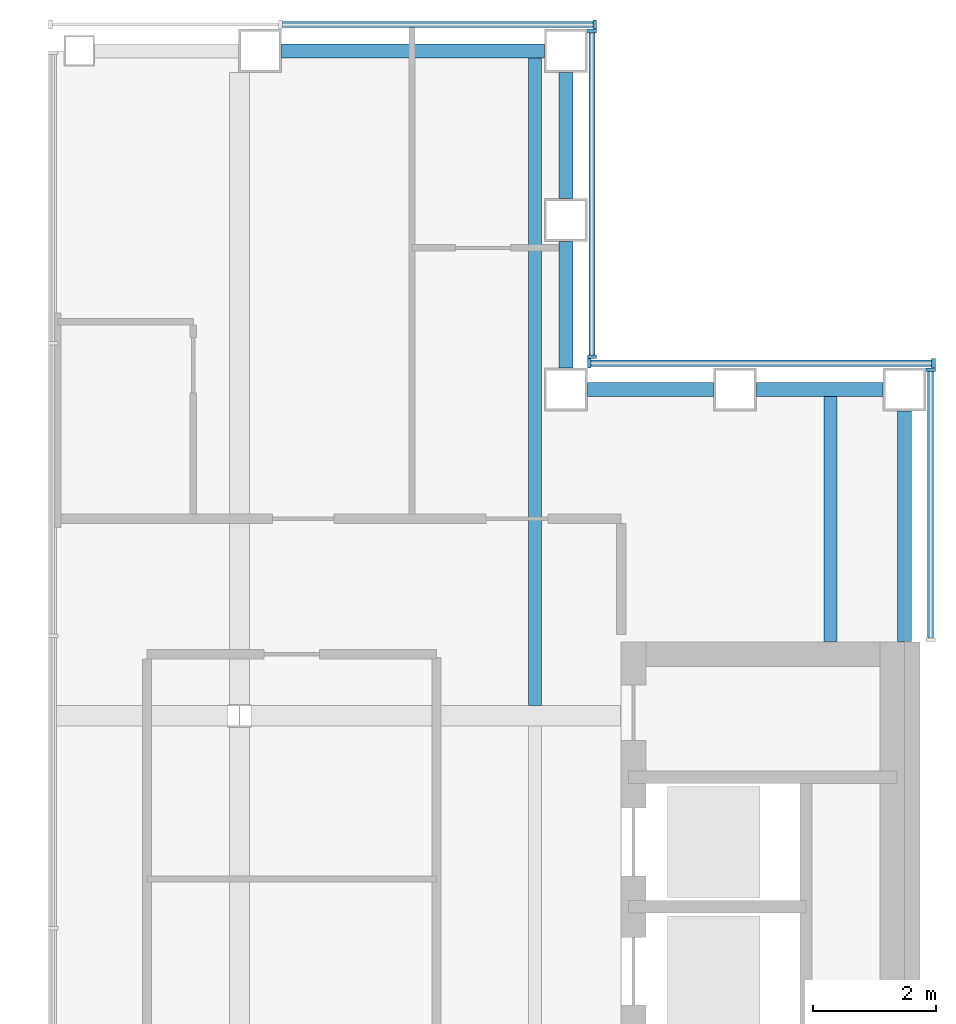
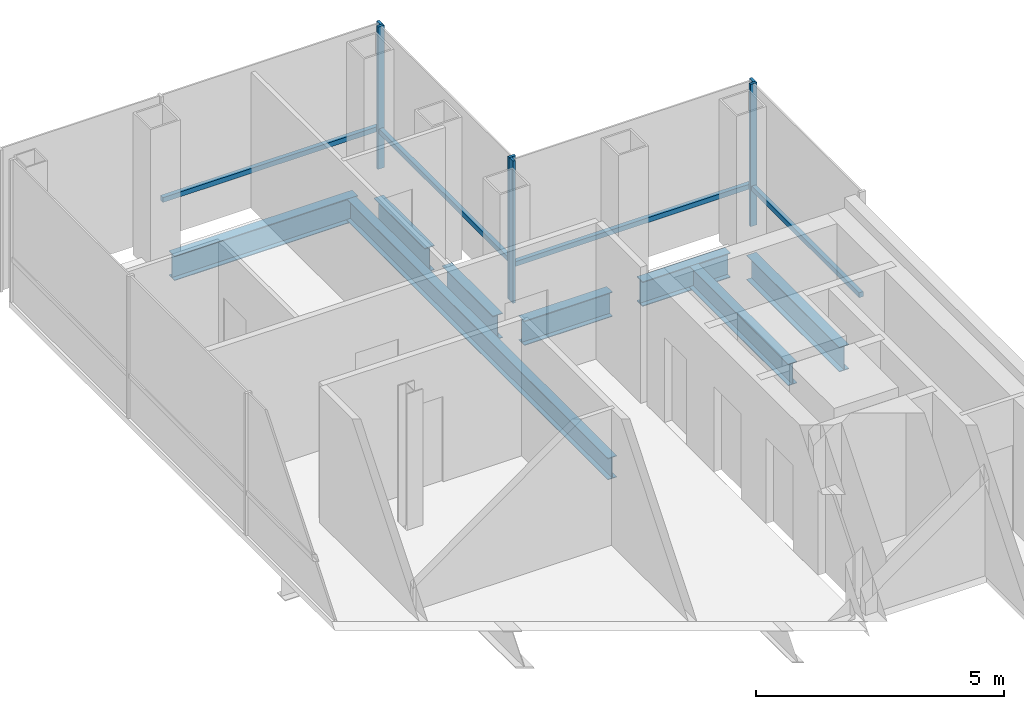
# One storey, part 8 of 15: 10 members, 8 beams, 4 elements without a shape of their own.
"""IFC4 building model written with IfcOpenShell, lengths in metres."""

import ifcopenshell
import ifcopenshell.guid

model = None  # the IFC model being written
_history = None  # IfcOwnerHistory: only IFC2X3 demands one
_inside = {}  # id of a spatial element -> (the spatial element, [elements in it])
_under = {}  # id of a project, library or spatial element -> (it, [spatial elements below it])
_declared = {}  # id of a project -> (the project, [libraries it declares])
_typed = {}  # id of a type object -> (the type object, [elements of that type])
_made_of = {}  # id of a material, layer set ... -> (it, [elements and type objects made of it])


def new_model(schema):
    """Start an empty IFC model of exactly this schema.

    Asked for "IFC4X3", IfcOpenShell would pick the latest addendum, in which some entities
    have other attributes; the version numbers below select the first issue.
    IFC2X3 requires an IfcOwnerHistory on every rooted entity: one is made here for all.
    """
    global model, _history
    if schema == "IFC4X3":
        model = ifcopenshell.file(schema_version=(4, 3, 0, 0))
    else:
        model = ifcopenshell.file(schema=schema)
    _inside.clear()
    _under.clear()
    _declared.clear()
    _typed.clear()
    _made_of.clear()
    _history = None
    if model.schema == "IFC2X3":
        org = make("IfcOrganization", Name="unknown")
        user = make(
            "IfcPersonAndOrganization",
            ThePerson=make("IfcPerson", FamilyName="unknown"),
            TheOrganization=org,
        )
        app = make(
            "IfcApplication",
            ApplicationDeveloper=org,
            Version="unknown",
            ApplicationFullName="unknown",
            ApplicationIdentifier="unknown",
        )
        _history = make(
            "IfcOwnerHistory",
            OwningUser=user,
            OwningApplication=app,
            ChangeAction="ADDED",
            CreationDate=0,
        )
    return model


def make(cls, **values):
    """One entity of the class cls with the attributes given. An attribute that is None is left unset."""
    return model.create_entity(
        cls, **{name: value for name, value in values.items() if value is not None}
    )


def rooted(cls, **values):
    """An entity with a GlobalId (a new one), such as an element, a storey or a relation."""
    return make(cls, GlobalId=ifcopenshell.guid.new(), OwnerHistory=_history, **values)


def si_unit(unit_type, name, prefix=None):
    """IfcSIUnit, for example si_unit("LENGTHUNIT", "METRE", prefix="MILLI")."""
    return make("IfcSIUnit", UnitType=unit_type, Prefix=prefix, Name=name)


def assignment(units):
    """IfcUnitAssignment: the units of a project."""
    return None if units is None else make("IfcUnitAssignment", Units=units)


def point(xyz):
    """IfcCartesianPoint."""
    return None if xyz is None else make("IfcCartesianPoint", Coordinates=xyz)


def direction(xyz):
    """IfcDirection."""
    return None if xyz is None else make("IfcDirection", DirectionRatios=xyz)


def frame(location, z_axis=None, x_axis=None):
    """IfcAxis2Placement3D, a coordinate frame: its origin and axes. An axis left out is left unset."""
    return make(
        "IfcAxis2Placement3D",
        Location=point(location),
        Axis=direction(z_axis),
        RefDirection=direction(x_axis),
    )


def frame_2d(location, x_axis=None):
    """IfcAxis2Placement2D, a coordinate frame in the plane: its origin and x axis."""
    return make(
        "IfcAxis2Placement2D", Location=point(location), RefDirection=direction(x_axis)
    )


def origin():
    """The frame at (0, 0, 0) with its axes left unset."""
    return frame((0.0, 0.0, 0.0))


def origin_2d():
    """The frame at (0, 0) in the plane with its x axis left unset."""
    return frame_2d((0.0, 0.0))


def place(relative_to, where):
    """IfcLocalPlacement: puts the frame where relative to a parent placement (None: the world)."""
    return make(
        "IfcLocalPlacement", PlacementRelTo=relative_to, RelativePlacement=where
    )


def context(
    kind, dimensions, precision=None, world=None, true_north=None, identifier=None
):
    """IfcGeometricRepresentationContext, for example the 3D "Model" context."""
    return make(
        "IfcGeometricRepresentationContext",
        ContextIdentifier=identifier,
        ContextType=kind,
        CoordinateSpaceDimension=dimensions,
        Precision=precision,
        WorldCoordinateSystem=world,
        TrueNorth=true_north,
    )


def subcontext(parent, identifier, kind, view, scale=None):
    """IfcGeometricRepresentationSubContext, for example "Body" below "Model"."""
    return make(
        "IfcGeometricRepresentationSubContext",
        ContextIdentifier=identifier,
        ContextType=kind,
        ParentContext=parent,
        TargetScale=scale,
        TargetView=view,
    )


def project(units=None, contexts=None):
    """IfcProject with its units and contexts."""
    return rooted(
        "IfcProject",
        Name="project",
        RepresentationContexts=contexts,
        UnitsInContext=assignment(units),
    )


def spatial(cls, under=None, at=None, **own):
    """A site, building, storey or space (cls), placed at a placement, below another one or the project."""
    s = rooted(cls, ObjectPlacement=at, **own)
    if under is not None:
        _under.setdefault(under.id(), (under, []))[1].append(s)
    return s


def profile(cls, at=None, kind="AREA", **sizes):
    """A parametric profile (cls). Its sizes go by their IFC names, for example OverallWidth=200.0."""
    return make(cls, ProfileType=kind, Position=at, **sizes)


def rectangle(**sizes):
    """IfcRectangleProfileDef."""
    return profile("IfcRectangleProfileDef", **sizes)


def i_section(**sizes):
    """IfcIShapeProfileDef."""
    return profile("IfcIShapeProfileDef", **sizes)


def extrude(swept, where, along, depth):
    """IfcExtrudedAreaSolid: the profile swept, set in the frame where, extruded along a direction by depth."""
    return make(
        "IfcExtrudedAreaSolid",
        SweptArea=swept,
        Position=where,
        ExtrudedDirection=direction(along),
        Depth=depth,
    )


def shape(context_of_items, identifier, shape_type, items):
    """IfcShapeRepresentation: the items that make up one representation, for example the "Body"."""
    return make(
        "IfcShapeRepresentation",
        ContextOfItems=context_of_items,
        RepresentationIdentifier=identifier,
        RepresentationType=shape_type,
        Items=items,
    )


def material(Name=None, Category=None):
    """IfcMaterial."""
    return make("IfcMaterial", Name=Name, Category=Category)


def material_profile(
    of_material, cross_section, Name=None, Category=None, Priority=None
):
    """IfcMaterialProfile: a cross section and its material."""
    return make(
        "IfcMaterialProfile",
        Name=Name,
        Material=of_material,
        Profile=cross_section,
        Priority=Priority,
        Category=Category,
    )


def profile_set(profiles, Name=None, composite=None):
    """IfcMaterialProfileSet."""
    return make(
        "IfcMaterialProfileSet",
        Name=Name,
        MaterialProfiles=profiles,
        CompositeProfile=composite,
    )


def made_of(thing, what):
    """Note that an element or type object is made of a material, layer set ...; save() writes the relation."""
    if what is not None:
        _made_of.setdefault(what.id(), (what, []))[1].append(thing)
    return thing


def type_object(cls, material=None, **own):
    """A type object (cls), such as IfcWallType, which elements share."""
    return made_of(rooted(cls, **own), material)


def element(
    cls,
    number,
    at=None,
    inside=None,
    cuts=None,
    type_object=None,
    material=None,
    context=None,
    identifier="Body",
    shape_type=None,
    held_by="IfcProductDefinitionShape",
    body=None,
    shapes=None,
    **own,
):
    """One element of the class cls, such as IfcWall. Its Tag is "e" and its number.

    at: its placement. inside: the storey or other place that contains it. cuts: it is an
    opening in that element (IfcRelVoidsElement). A single representation is given by context,
    identifier, shape_type and body (its items); several are given by shapes. held_by: the class
    of the entity that holds the representations. save() writes the other relations.
    """
    e = rooted(cls, Tag="e%d" % number, ObjectPlacement=at, **own)
    if body is not None:
        shapes = [shape(context, identifier, shape_type, body)]
    if shapes is not None:
        e.Representation = make(held_by, Representations=shapes)
    if inside is not None:
        _inside.setdefault(inside.id(), (inside, []))[1].append(e)
    if cuts is not None:
        rooted(
            "IfcRelVoidsElement", RelatingBuildingElement=cuts, RelatedOpeningElement=e
        )
    if type_object is not None:
        _typed.setdefault(type_object.id(), (type_object, []))[1].append(e)
    return made_of(e, material)


def aggregate(whole, parts):
    """IfcRelAggregates: a whole, such as a stair, and the parts it consists of."""
    return rooted("IfcRelAggregates", RelatingObject=whole, RelatedObjects=parts)


def save(model, path):
    """Write the relations noted so far, then the file.

    IfcRelAggregates (storeys below a building ...), IfcRelContainedInSpatialStructure (elements
    in a storey), IfcRelDefinesByType, IfcRelAssociatesMaterial and IfcRelDeclares: one each for
    every whole, place, type object, material and project.
    """
    for whole, parts in _under.values():
        aggregate(whole, parts)
    for where, things in _inside.values():
        rooted(
            "IfcRelContainedInSpatialStructure",
            RelatedElements=things,
            RelatingStructure=where,
        )
    for kind, things in _typed.values():
        rooted("IfcRelDefinesByType", RelatedObjects=things, RelatingType=kind)
    for what, things in _made_of.values():
        rooted("IfcRelAssociatesMaterial", RelatedObjects=things, RelatingMaterial=what)
    for by, libraries in _declared.values():
        rooted("IfcRelDeclares", RelatingContext=by, RelatedDefinitions=libraries)
    model.write(path)


model = new_model("IFC4")

# Units and contexts
model_context = context("Model", 3, precision=1e-05, world=origin(), true_north=direction((0.0, 1.0)))
body_context = subcontext(model_context, "Body", "Model", "MODEL_VIEW")
ifc_project = project(units=[si_unit("LENGTHUNIT", "METRE"), si_unit("AREAUNIT", "SQUARE_METRE"), si_unit("VOLUMEUNIT", "CUBIC_METRE"), si_unit("PLANEANGLEUNIT", "RADIAN"), si_unit("MASSUNIT", "GRAM", prefix="KILO")], contexts=[model_context])

# Site, building, storey
site_placement = place(None, origin())
site = spatial("IfcSite", under=ifc_project, at=site_placement, CompositionType="ELEMENT")
building_placement = place(site_placement, origin())
building = spatial("IfcBuilding", under=site, at=building_placement, Name="Cobrizo Arcos Hotel Tower", CompositionType="ELEMENT")
storey_placement = place(building_placement, frame((0.0, 0.0, 222.5)))
storey = spatial("IfcBuildingStorey", under=building, at=storey_placement, Name="L58", CompositionType="ELEMENT", Elevation=222.5)

# Curtain wall, member
ifc_material_1 = material(Name="Aluminium 6063-T6 anodised bronze", Category="aluminium")
curtain_wall_type = type_object("IfcCurtainWallType", Name="CW-A guest facade", PredefinedType="NOTDEFINED", material=ifc_material_1)
curtain_wall_1_placement = place(storey_placement, origin())
curtain_wall_1 = element("IfcCurtainWall", 1, at=curtain_wall_1_placement, inside=storey, type_object=curtain_wall_type, Name="CW-A L58 E face", PredefinedType="NOTDEFINED")
ifc_material_profile_1 = material_profile(ifc_material_1, rectangle(XDim=0.14990234375, YDim=0.06005859375, at=origin_2d()), Name="CW-A mullion 150x60")
ifc_profile_set_1 = profile_set([ifc_material_profile_1], Name="Aluminium 6063-T6 anodised bronze")
member_type_1 = type_object("IfcMemberType", Name="CW-A mullion 150x60", PredefinedType="MULLION", material=ifc_profile_set_1)
member_1_placement = place(storey_placement, frame((20.824951171875, 15.219970703125, 0.0), z_axis=(0.0, 0.0, 1.0), x_axis=(1.0, 0.0, 0.0)))
member_1 = element("IfcMember", 2, at=member_1_placement, type_object=member_type_1, Name="CW-A mullion 2", PredefinedType="MULLION", context=body_context, shape_type="SweptSolid", body=[
    extrude(rectangle(XDim=0.14990234375, YDim=0.06005859375, at=origin_2d()), origin(), (0.0, 0.0, 1.0), 3.5),
])

# Curtain wall, members
curtain_wall_2_placement = place(storey_placement, origin())
curtain_wall_2 = element("IfcCurtainWall", 3, at=curtain_wall_2_placement, inside=storey, type_object=curtain_wall_type, Name="CW-A L58 N face", PredefinedType="NOTDEFINED")
member_2_placement = place(storey_placement, frame((20.8701171875, 15.324951171875, 0.0), z_axis=(0.0, 0.0, 1.0), x_axis=(0.0, 1.0, 0.0)))
member_2 = element("IfcMember", 4, at=member_2_placement, type_object=member_type_1, Name="CW-A mullion 1", PredefinedType="MULLION", context=body_context, shape_type="SweptSolid", body=[
    extrude(rectangle(XDim=0.14990234375, YDim=0.06005859375, at=origin_2d()), origin(), (0.0, 0.0, 1.0), 3.5),
])
member_3_placement = place(storey_placement, frame((15.280029296875, 15.324951171875, 0.0), z_axis=(0.0, 0.0, 1.0), x_axis=(0.0, 1.0, 0.0)))
member_3 = element("IfcMember", 5, at=member_3_placement, type_object=member_type_1, Name="CW-A mullion 2", PredefinedType="MULLION", context=body_context, shape_type="SweptSolid", body=[
    extrude(rectangle(XDim=0.14990234375, YDim=0.06005859375, at=origin_2d()), origin(), (0.0, 0.0, 1.0), 3.5),
])

curtain_wall_3_placement = place(storey_placement, origin())
curtain_wall_3 = element("IfcCurtainWall", 6, at=curtain_wall_3_placement, inside=storey, type_object=curtain_wall_type, Name="CW-A L58 E face", PredefinedType="NOTDEFINED")
member_4_placement = place(storey_placement, frame((15.324951171875, 15.429931640625, 0.0), z_axis=(0.0, 0.0, 1.0), x_axis=(1.0, 0.0, 0.0)))
member_4 = element("IfcMember", 7, at=member_4_placement, type_object=member_type_1, Name="CW-A mullion 1", PredefinedType="MULLION", context=body_context, shape_type="SweptSolid", body=[
    extrude(rectangle(XDim=0.14990234375, YDim=0.06005859375, at=origin_2d()), origin(), (0.0, 0.0, 1.0), 3.5),
])
member_5_placement = place(storey_placement, frame((15.324951171875, 20.719970703125, 0.0), z_axis=(0.0, 0.0, 1.0), x_axis=(1.0, 0.0, 0.0)))
member_5 = element("IfcMember", 8, at=member_5_placement, type_object=member_type_1, Name="CW-A mullion 2", PredefinedType="MULLION", context=body_context, shape_type="SweptSolid", body=[
    extrude(rectangle(XDim=0.14990234375, YDim=0.06005859375, at=origin_2d()), origin(), (0.0, 0.0, 1.0), 3.5),
])

# Curtain wall, member
curtain_wall_4_placement = place(storey_placement, origin())
curtain_wall_4 = element("IfcCurtainWall", 9, at=curtain_wall_4_placement, inside=storey, type_object=curtain_wall_type, Name="CW-A L58 N face", PredefinedType="NOTDEFINED")
member_6_placement = place(storey_placement, frame((15.3701171875, 20.824951171875, 0.0), z_axis=(0.0, 0.0, 1.0), x_axis=(0.0, 1.0, 0.0)))
member_6 = element("IfcMember", 10, at=member_6_placement, type_object=member_type_1, Name="CW-A mullion 1", PredefinedType="MULLION", context=body_context, shape_type="SweptSolid", body=[
    extrude(rectangle(XDim=0.14990234375, YDim=0.06005859375, at=origin_2d()), origin(), (0.0, 0.0, 1.0), 3.5),
])

# Member
ifc_material_profile_2 = material_profile(ifc_material_1, rectangle(XDim=0.10009765625, YDim=0.1201171875, at=origin_2d()), Name="CW-A transom 120x100")
ifc_profile_set_2 = profile_set([ifc_material_profile_2], Name="Aluminium 6063-T6 anodised bronze")
member_type_2 = type_object("IfcMemberType", Name="CW-A transom 120x100", PredefinedType="USERDEFINED", material=ifc_profile_set_2)
member_7_placement = place(storey_placement, frame((20.824951171875, 10.860107421875, 0.929931640625), z_axis=(0.0, 1.0, 0.0), x_axis=(-1.0, 0.0, 0.0)))
member_7 = element("IfcMember", 11, at=member_7_placement, type_object=member_type_2, Name="CW-A transom 1915", ObjectType="TRANSOM", PredefinedType="USERDEFINED", context=body_context, shape_type="SweptSolid", body=[
    extrude(rectangle(XDim=0.10009765625, YDim=0.1201171875, at=origin_2d()), origin(), (0.0, 0.0, 1.0), 4.329833984375),
])

aggregate(curtain_wall_1, [member_1, member_7])

member_8_placement = place(storey_placement, frame((20.840087890625, 15.324951171875, 0.929931640625), z_axis=(-1.0, 0.0, 0.0), x_axis=(0.0, -1.0, 0.0)))
member_8 = element("IfcMember", 12, at=member_8_placement, type_object=member_type_2, Name="CW-A transom 1916", ObjectType="TRANSOM", PredefinedType="USERDEFINED", context=body_context, shape_type="SweptSolid", body=[
    extrude(rectangle(XDim=0.10009765625, YDim=0.1201171875, at=origin_2d()), origin(), (0.0, 0.0, 1.0), 5.530029296875),
])

aggregate(curtain_wall_2, [member_2, member_3, member_8])

member_9_placement = place(storey_placement, frame((15.324951171875, 15.4599609375, 0.929931640625), z_axis=(0.0, 1.0, 0.0), x_axis=(-1.0, 0.0, 0.0)))
member_9 = element("IfcMember", 13, at=member_9_placement, type_object=member_type_2, Name="CW-A transom 1917", ObjectType="TRANSOM", PredefinedType="USERDEFINED", context=body_context, shape_type="SweptSolid", body=[
    extrude(rectangle(XDim=0.10009765625, YDim=0.1201171875, at=origin_2d()), origin(), (0.0, 0.0, 1.0), 5.22998046875),
])

aggregate(curtain_wall_3, [member_4, member_5, member_9])

member_10_placement = place(storey_placement, frame((15.340087890625, 20.824951171875, 0.929931640625), z_axis=(-1.0, 0.0, 0.0), x_axis=(0.0, -1.0, 0.0)))
member_10 = element("IfcMember", 14, at=member_10_placement, type_object=member_type_2, Name="CW-A transom 1918", ObjectType="TRANSOM", PredefinedType="USERDEFINED", context=body_context, shape_type="SweptSolid", body=[
    extrude(rectangle(XDim=0.10009765625, YDim=0.1201171875, at=origin_2d()), origin(), (0.0, 0.0, 1.0), 5.04345703125),
])

aggregate(curtain_wall_4, [member_6, member_10])

# Beams
ifc_material_2 = material(Name="Steel ASTM A992 Grade 50", Category="steel")
ifc_material_profile_3 = material_profile(ifc_material_2, i_section(OverallWidth=0.209228515625, OverallDepth=0.533447265625, WebThickness=0.01025390625, FlangeThickness=0.015625, at=origin_2d()), Name="W21X62")
ifc_profile_set_3 = profile_set([ifc_material_profile_3], Name="Steel ASTM A992 Grade 50")
beam_type_1 = type_object("IfcBeamType", Name="W21X62 joist", PredefinedType="JOIST", material=ifc_profile_set_3)
beam_1_placement = place(storey_placement, frame((14.39990234375, 9.763916015625, -0.416748046875), z_axis=(0.0, 1.0, 0.0), x_axis=(-1.0, 0.0, 0.0)))
element("IfcBeam", 15, at=beam_1_placement, inside=storey, type_object=beam_type_1, Name="Floor joist J1, L58, no. 010", PredefinedType="JOIST", context=body_context, shape_type="SweptSolid", body=[
    extrude(i_section(OverallWidth=0.209228515625, OverallDepth=0.533447265625, WebThickness=0.01025390625, FlangeThickness=0.015625, at=origin_2d()), origin(), (0.0, 0.0, 1.0), 10.546142578125),
])
beam_2_placement = place(storey_placement, frame((19.199951171875, 10.81005859375, -0.416748046875), z_axis=(0.0, 1.0, 0.0), x_axis=(-1.0, 0.0, 0.0)))
element("IfcBeam", 16, at=beam_2_placement, inside=storey, type_object=beam_type_1, Name="Floor joist J1, L58, no. 012", PredefinedType="JOIST", context=body_context, shape_type="SweptSolid", body=[
    extrude(i_section(OverallWidth=0.209228515625, OverallDepth=0.533447265625, WebThickness=0.01025390625, FlangeThickness=0.015625, at=origin_2d()), origin(), (0.0, 0.0, 1.0), 4.0),
])
ifc_material_profile_4 = material_profile(ifc_material_2, i_section(OverallWidth=0.228271484375, OverallDepth=0.607177734375, WebThickness=0.01123046875, FlangeThickness=0.017333984375, at=origin_2d()), Name="W24X76")
ifc_profile_set_4 = profile_set([ifc_material_profile_4], Name="Steel ASTM A992 Grade 50")
beam_type_2 = type_object("IfcBeamType", Name="W24X76 spandrel", PredefinedType="SPANDREL", material=ifc_profile_set_4)
for number, where, z_axis, x_axis, name in (
    (17, (15.25, 14.89990234375, -0.45361328125), (1.0, 0.0, 0.0), (0.0, 1.0, 0.0), "Spandrel beam W24X76, L58, no. 001"),
    (18, (18.0, 14.89990234375, -0.45361328125), (1.0, 0.0, 0.0), (0.0, 1.0, 0.0), "Spandrel beam W24X76, L58, no. 002"),
):
    element("IfcBeam", number, at=place(storey_placement, frame(where, z_axis=z_axis, x_axis=x_axis)), inside=storey, type_object=beam_type_2, Name=name, PredefinedType="SPANDREL", context=body_context, shape_type="SweptSolid", body=[
        extrude(i_section(OverallWidth=0.228271484375, OverallDepth=0.607177734375, WebThickness=0.01123046875, FlangeThickness=0.017333984375, at=origin_2d()), origin(), (0.0, 0.0, 1.0), 2.050048828125),
    ])
beam_3_placement = place(storey_placement, frame((20.39990234375, 14.550048828125, -0.45361328125), z_axis=(0.0, -1.0, 0.0), x_axis=(1.0, 0.0, 0.0)))
element("IfcBeam", 19, at=beam_3_placement, inside=storey, type_object=beam_type_2, Name="Spandrel beam W24X76, L58, no. 003", PredefinedType="SPANDREL", context=body_context, shape_type="SweptSolid", body=[
    extrude(i_section(OverallWidth=0.228271484375, OverallDepth=0.607177734375, WebThickness=0.01123046875, FlangeThickness=0.017333984375, at=origin_2d()), origin(), (0.0, 0.0, 1.0), 3.739990234375),
])
beam_4_placement = place(storey_placement, frame((10.282958984375, 20.39990234375, -0.45361328125), z_axis=(1.0, 0.0, 0.0), x_axis=(0.0, 1.0, 0.0)))
element("IfcBeam", 20, at=beam_4_placement, inside=storey, type_object=beam_type_2, Name="Spandrel beam W24X76, L58, no. 026", PredefinedType="SPANDREL", context=body_context, shape_type="SweptSolid", body=[
    extrude(i_section(OverallWidth=0.228271484375, OverallDepth=0.607177734375, WebThickness=0.01123046875, FlangeThickness=0.017333984375, at=origin_2d()), origin(), (0.0, 0.0, 1.0), 4.26708984375),
])
for number, where, z_axis, x_axis, name in (
    (21, (14.89990234375, 20.050048828125, -0.45361328125), (0.0, -1.0, 0.0), (1.0, 0.0, 0.0), "Spandrel beam W24X76, L58, no. 027"),
    (22, (14.89990234375, 17.300048828125, -0.45361328125), (0.0, -1.0, 0.0), (1.0, 0.0, 0.0), "Spandrel beam W24X76, L58, no. 028"),
):
    element("IfcBeam", number, at=place(storey_placement, frame(where, z_axis=z_axis, x_axis=x_axis)), inside=storey, type_object=beam_type_2, Name=name, PredefinedType="SPANDREL", context=body_context, shape_type="SweptSolid", body=[
        extrude(i_section(OverallWidth=0.228271484375, OverallDepth=0.607177734375, WebThickness=0.01123046875, FlangeThickness=0.017333984375, at=origin_2d()), origin(), (0.0, 0.0, 1.0), 2.050048828125),
    ])

save(model, "model.ifc")
